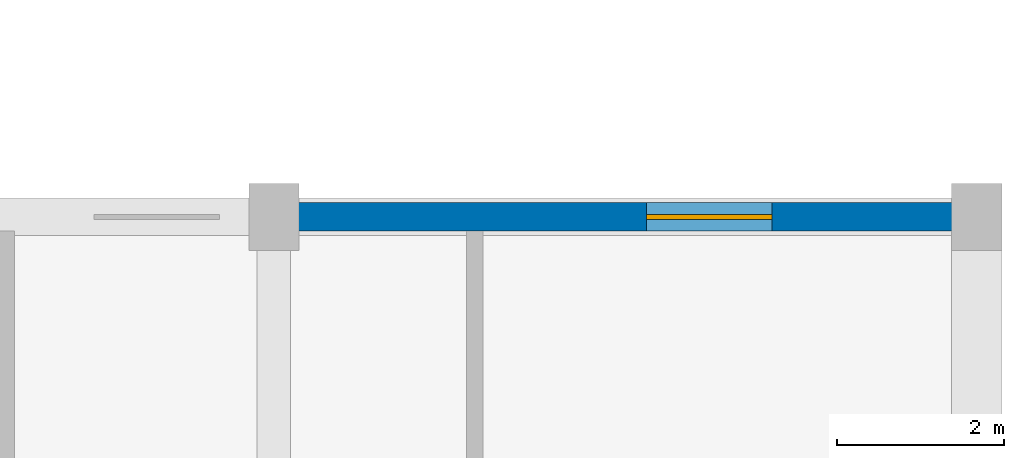
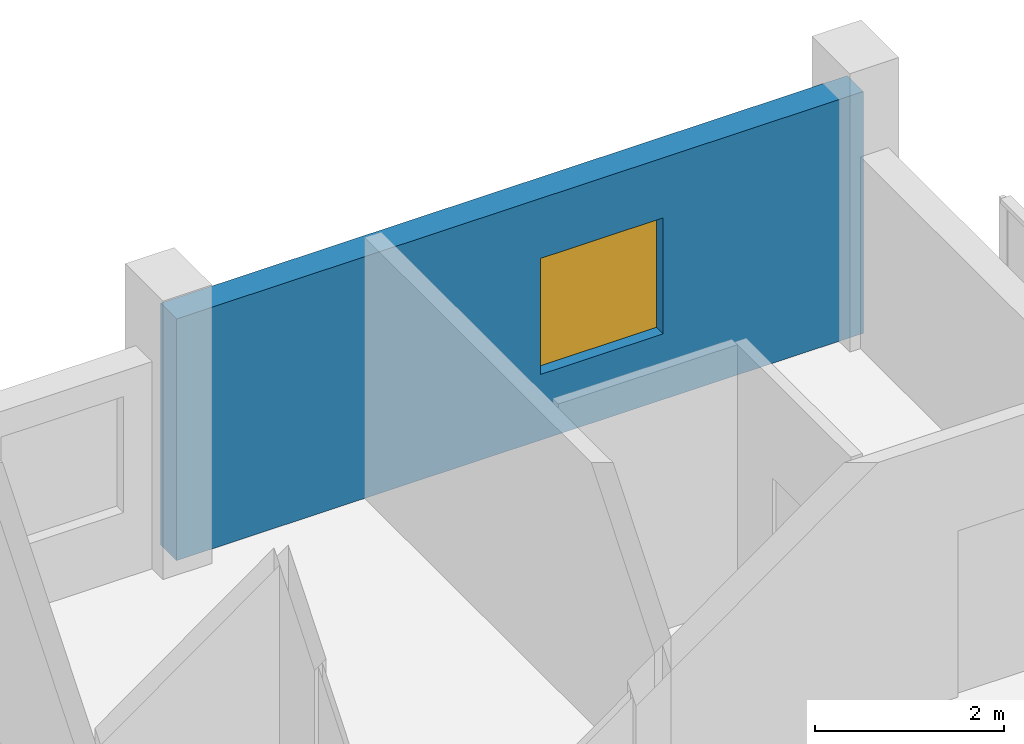
# One storey, part 23 of 26: 1 wall, 1 window, 1 opening.
"""IFC4 building model written with IfcOpenShell, lengths in metres."""

from ifc_helpers import new_model, si_unit, derived_unit, direction, frame, frame_2d, origin, place, context, subcontext, project, spatial, rectangle, extrude, material, layer, layer_set, type_object, element, fill, save


model = new_model("IFC4")

# Units and contexts
model_context = context("Model", 3, precision=1e-05, world=origin(), true_north=direction((0.0, 1.0)))
body_context = subcontext(model_context, "Body", "Model", "MODEL_VIEW")
ifc_project = project(units=[si_unit("LENGTHUNIT", "METRE"), si_unit("AREAUNIT", "SQUARE_METRE"), si_unit("VOLUMEUNIT", "CUBIC_METRE"), si_unit("PLANEANGLEUNIT", "RADIAN"), si_unit("MASSUNIT", "GRAM", prefix="KILO"), derived_unit("THERMALTRANSMITTANCEUNIT", [(si_unit("POWERUNIT", "WATT"), 1), (si_unit("LENGTHUNIT", "METRE"), -2), (si_unit("THERMODYNAMICTEMPERATUREUNIT", "KELVIN"), -1)])], contexts=[model_context])

# Site, building, storey
site_placement = place(None, origin())
site = spatial("IfcSite", under=ifc_project, at=site_placement, CompositionType="ELEMENT")
building_placement = place(site_placement, origin())
building = spatial("IfcBuilding", under=site, at=building_placement, Name="Barrovel Congress Hotel", CompositionType="ELEMENT")
storey_placement = place(building_placement, frame((0.0, 0.0, 21.89990234375)))
storey = spatial("IfcBuildingStorey", under=building, at=storey_placement, Name="L05", CompositionType="ELEMENT", Elevation=21.89990234375)

# Wall, opening, window
ifc_material_1 = material(Name="Fired Clay Brick Masonry", Category="masonry")
ifc_layer = layer(ifc_material_1, 0.340087890625)
ifc_layer_set = layer_set([ifc_layer], Name="Fired Clay Brick Masonry")
wall_type = type_object("IfcWallType", Name="EW-BRK340", PredefinedType="STANDARD", material=ifc_layer_set)
wall_placement = place(storey_placement, frame((168.0, 21.0, 0.0), z_axis=(0.0, 0.0, 1.0), x_axis=(-1.0, 0.0, 0.0)))
wall = element("IfcWall", 1, at=wall_placement, inside=storey, type_object=wall_type, Name="EW:L05:HS-NE-1:P01", PredefinedType="STANDARD", context=body_context, shape_type="SweptSolid", body=[
    extrude(rectangle(XDim=8.39990234375, YDim=0.340087890625, at=frame_2d((4.199951171875, 0.0))), origin(), (0.0, 0.0, 1.0), 3.1259765625),
])
opening_placement = place(wall_placement, frame((2.449951171875, 0.0, 0.85009765625)))
opening = element("IfcOpeningElement", 2, at=opening_placement, cuts=wall, Name="Opening WN-07", PredefinedType="OPENING", context=body_context, shape_type="SweptSolid", body=[
    extrude(rectangle(XDim=1.5, YDim=1.5, at=frame_2d((0.75, 0.75))), frame((0.0, 0.18017578125, 0.0), z_axis=(0.0, -1.0, 0.0), x_axis=(1.0, 0.0, 0.0)), (0.0, 0.0, 1.0), 0.360107421875),
])
ifc_material_2 = material(Name="Double Low-E Insulated Glazing", Category="glass")
window_type = type_object("IfcWindowType", Name="WIN-WN-07", PartitioningType="SINGLE_PANEL", PredefinedType="WINDOW", material=ifc_material_2)
window_placement = place(opening_placement, origin())
window = element("IfcWindow", 3, at=window_placement, inside=storey, type_object=window_type, Name="WIN:L05:U32", OverallHeight=1.5, OverallWidth=1.5, PartitioningType="SINGLE_PANEL", PredefinedType="WINDOW", context=body_context, shape_type="SweptSolid", body=[
    extrude(rectangle(XDim=1.5, YDim=1.5, at=frame_2d((0.75, 0.75))), frame((0.0, 0.030029296875, 0.0), z_axis=(0.0, -1.0, 0.0), x_axis=(1.0, 0.0, 0.0)), (0.0, 0.0, 1.0), 0.06005859375),
])
fill(opening, window)

save(model, "model.ifc")
